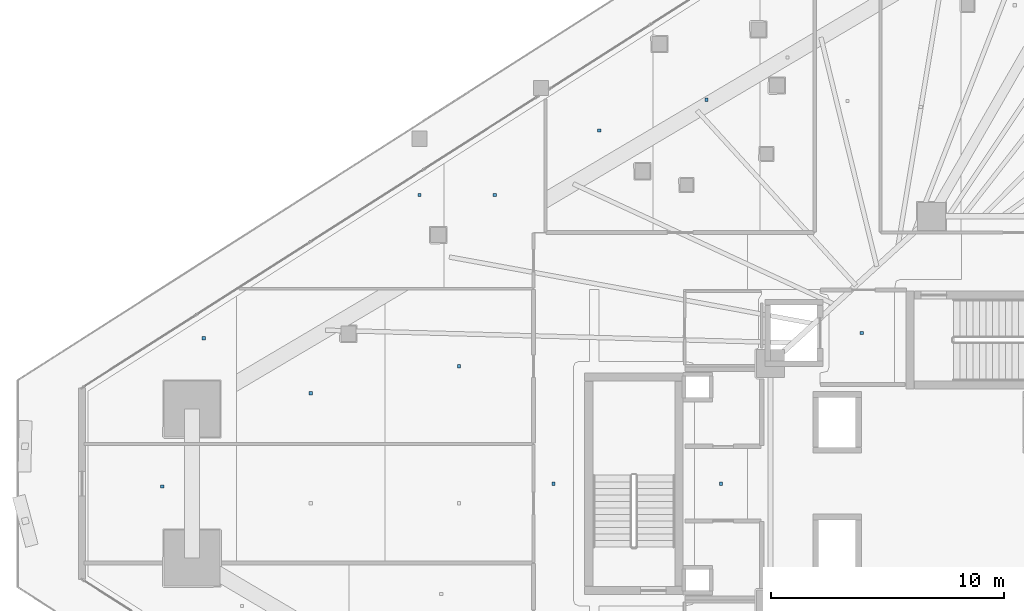
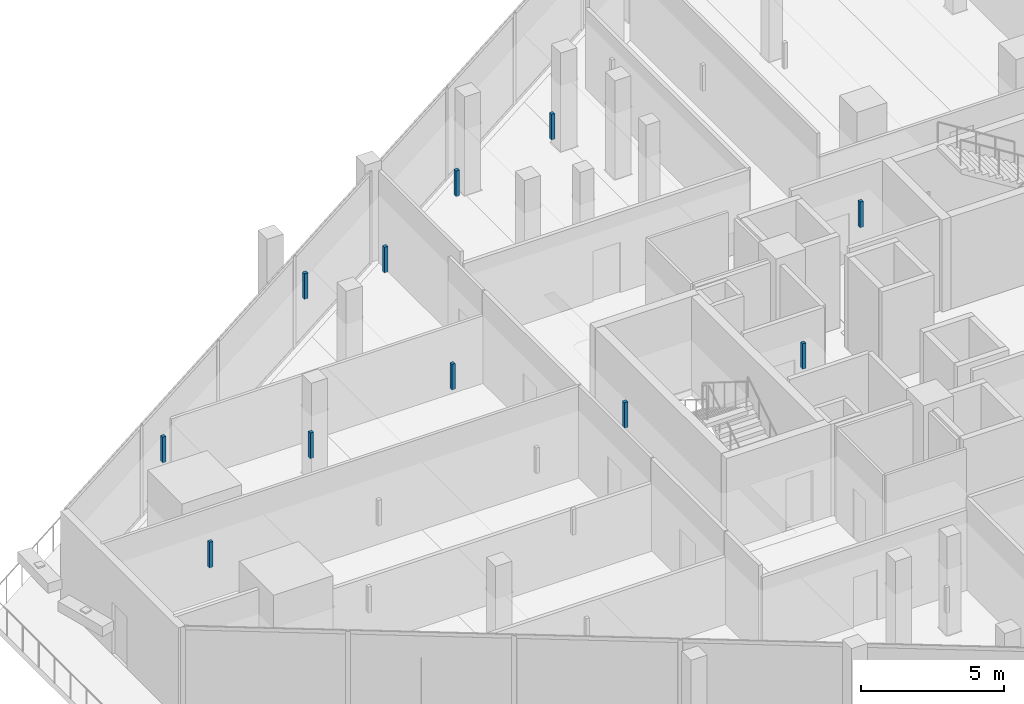
# One storey, part 33 of 44: 11 discrete accessories.
"""IFC4 building model written with IfcOpenShell, lengths in metres."""

from ifc_helpers import new_model, si_unit, direction, frame, origin, origin_2d, place, context, subcontext, project, spatial, rectangle, extrude, material, type_object, element, save


model = new_model("IFC4")

# Units and contexts
model_context = context("Model", 3, precision=1e-05, world=origin(), true_north=direction((0.0, 1.0)))
body_context = subcontext(model_context, "Body", "Model", "MODEL_VIEW")
ifc_project = project(units=[si_unit("LENGTHUNIT", "METRE"), si_unit("AREAUNIT", "SQUARE_METRE"), si_unit("VOLUMEUNIT", "CUBIC_METRE"), si_unit("PLANEANGLEUNIT", "RADIAN"), si_unit("MASSUNIT", "GRAM", prefix="KILO")], contexts=[model_context])

# Site, building, storey
site_placement = place(None, origin())
site = spatial("IfcSite", under=ifc_project, at=site_placement, CompositionType="ELEMENT")
building_placement = place(site_placement, origin())
building = spatial("IfcBuilding", under=site, at=building_placement, Name="Qorvath Tower", CompositionType="ELEMENT")
storey_placement = place(building_placement, frame((0.0, 0.0, 57.60009765625)))
storey = spatial("IfcBuildingStorey", under=building, at=storey_placement, Name="L12", CompositionType="ELEMENT", Elevation=57.60009765625)

# Discrete accessories
ifc_material = material(Name="Galvanised steel bracket", Category="steel")
discrete_accessory_type = type_object("IfcDiscreteAccessoryType", Name="DA-BRACKET", PredefinedType="BRACKET", material=ifc_material)
for number, where, z_axis, x_axis, name in (
    (1, (-26.590087890625, 6.449951171875, 2.85986328125), (0.0, 0.0, 1.0), (1.0, 0.0, 0.0), "Acoustic Ceiling Suspension Hanger T1-L12-001"),
    (2, (-39.797607421875, 0.0, 2.85986328125), (0.0, 0.0, 1.0), (1.0, 0.0, 0.0), "Acoustic Ceiling Suspension Hanger T1-L12-007"),
    (3, (-32.620849609375, 0.0, 2.85986328125), (0.0, 0.0, 1.0), (1.0, 0.0, 0.0), "Acoustic Ceiling Suspension Hanger T1-L12-008"),
    (4, (-45.540283203125, 12.367431640625, 2.85986328125), (0.0, 0.0, 1.0), (1.0, 0.0, 0.0), "Acoustic Ceiling Suspension Hanger T1-L12-010"),
    (5, (-42.318603515625, 12.367431640625, 2.85986328125), (0.0, 0.0, 1.0), (1.0, 0.0, 0.0), "Acoustic Ceiling Suspension Hanger T1-L12-011"),
    (6, (-37.8349609375, 15.131591796875, 2.85986328125), (0.0, 0.0, 1.0), (1.0, 0.0, 0.0), "Acoustic Ceiling Suspension Hanger T1-L12-012"),
    (7, (-33.23876953125, 16.451904296875, 2.85986328125), (0.0, 0.0, 1.0), (1.0, 0.0, 0.0), "Acoustic Ceiling Suspension Hanger T1-L12-013"),
    (8, (-56.563232421875, -0.1181640625, 2.85986328125), (0.0, 0.0, 1.0), (1.0, 0.0, 0.0), "Acoustic Ceiling Suspension Hanger T1-L12-042"),
    (9, (-54.7880859375, 6.232666015625, 2.85986328125), (0.0, 0.0, 1.0), (1.0, 0.0, 0.0), "Acoustic Ceiling Suspension Hanger T1-L12-045"),
    (10, (-50.203125, 3.877685546875, 2.85986328125), (0.0, 0.0, 1.0), (1.0, 0.0, 0.0), "Acoustic Ceiling Suspension Hanger T1-L12-046"),
    (11, (-43.843017578125, 5.0263671875, 2.85986328125), (0.0, 0.0, 1.0), (1.0, 0.0, 0.0), "Acoustic Ceiling Suspension Hanger T1-L12-047"),
):
    element("IfcDiscreteAccessory", number, at=place(storey_placement, frame(where, z_axis=z_axis, x_axis=x_axis)), inside=storey, type_object=discrete_accessory_type, Name=name, PredefinedType="NOTDEFINED", context=body_context, shape_type="SweptSolid", body=[
        extrude(rectangle(XDim=0.139892578125, YDim=0.139892578125, at=origin_2d()), origin(), (0.0, 0.0, 1.0), 1.090087890625),
    ])

save(model, "model.ifc")
